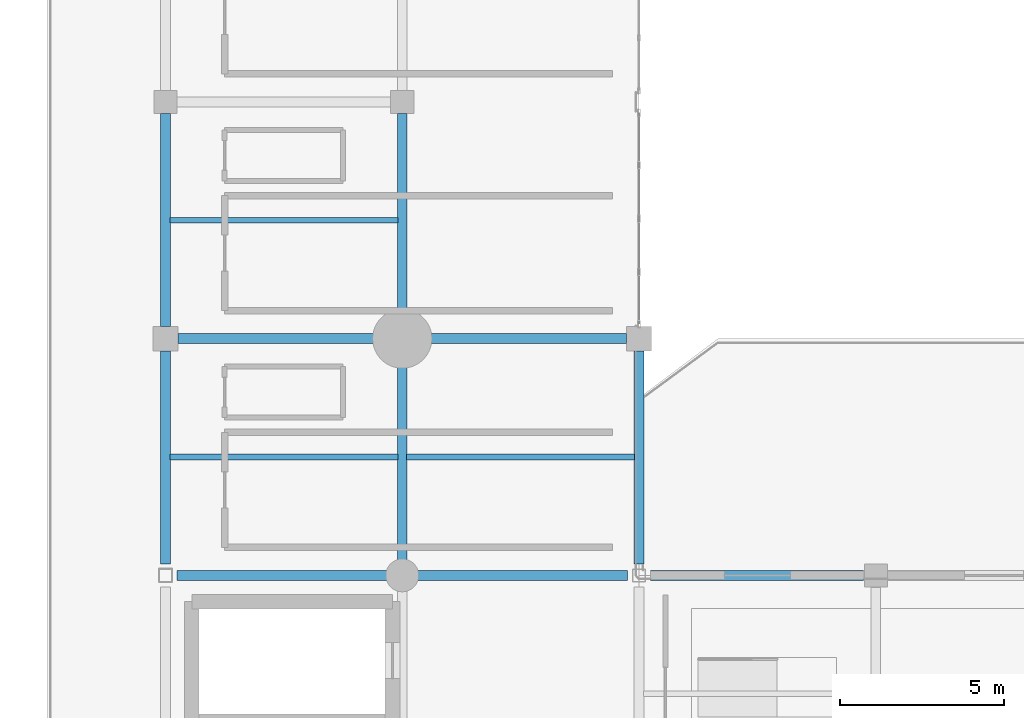
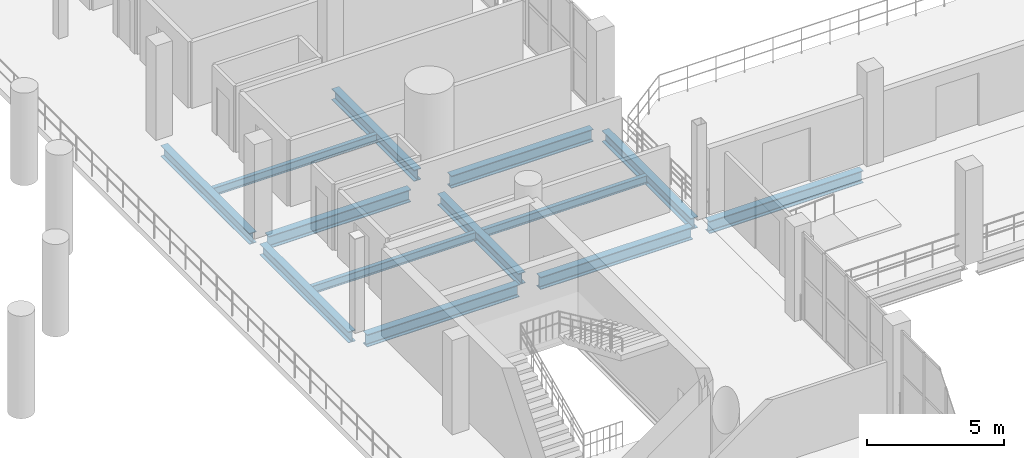
# One storey, part 46 of 130: 13 beams.
"""IFC4 building model written with IfcOpenShell, lengths in metres."""

from ifc_helpers import new_model, si_unit, direction, frame, origin, origin_2d, place, context, subcontext, project, spatial, i_section, extrude, material, material_profile, profile_set, type_object, element, save


model = new_model("IFC4")

# Units and contexts
model_context = context("Model", 3, precision=1e-05, world=origin(), true_north=direction((0.0, 1.0)))
body_context = subcontext(model_context, "Body", "Model", "MODEL_VIEW")
ifc_project = project(units=[si_unit("LENGTHUNIT", "METRE"), si_unit("AREAUNIT", "SQUARE_METRE"), si_unit("VOLUMEUNIT", "CUBIC_METRE"), si_unit("PLANEANGLEUNIT", "RADIAN"), si_unit("MASSUNIT", "GRAM", prefix="KILO")], contexts=[model_context])

# Site, building, storey
site_placement = place(None, origin())
site = spatial("IfcSite", under=ifc_project, at=site_placement, CompositionType="ELEMENT")
building_placement = place(site_placement, origin())
building = spatial("IfcBuilding", under=site, at=building_placement, Name="Qandorah Velis Arena", CompositionType="ELEMENT")
storey_placement = place(building_placement, frame((0.0, 0.0, 9.60009765625)))
storey = spatial("IfcBuildingStorey", under=building, at=storey_placement, Name="L02", CompositionType="ELEMENT", Elevation=9.60009765625)

# Beams
ifc_material = material(Name="Steel S355", Category="steel")
ifc_material_profile_1 = material_profile(ifc_material, i_section(OverallWidth=0.300048828125, OverallDepth=0.5, WebThickness=0.014404296875, FlangeThickness=0.028076171875, FilletRadius=0.027099609375, at=origin_2d()), Name="HEB 500")
ifc_profile_set_1 = profile_set([ifc_material_profile_1], Name="Steel S355")
beam_type_1 = type_object("IfcBeamType", Name="STR-BM-HEB500", PredefinedType="BEAM", material=ifc_profile_set_1)
beam_1_placement = place(storey_placement, frame((108.0, 50.75, -0.530029296875), z_axis=(0.0, 1.0, 0.0), x_axis=(-1.0, 0.0, 0.0)))
element("IfcBeam", 1, at=beam_1_placement, inside=storey, type_object=beam_type_1, Name="Primary floor girder L02 Y-294", PredefinedType="BEAM", context=body_context, shape_type="SweptSolid", body=[
    extrude(i_section(OverallWidth=0.300048828125, OverallDepth=0.5, WebThickness=0.014404296875, FlangeThickness=0.028076171875, FilletRadius=0.027099609375, at=origin_2d()), origin(), (0.0, 0.0, 1.0), 6.47509765625),
])
beam_2_placement = place(storey_placement, frame((108.0, 57.97509765625, -0.530029296875), z_axis=(0.0, 1.0, 0.0), x_axis=(-1.0, 0.0, 0.0)))
element("IfcBeam", 2, at=beam_2_placement, inside=storey, type_object=beam_type_1, Name="Primary floor girder L02 Y-295", PredefinedType="BEAM", context=body_context, shape_type="SweptSolid", body=[
    extrude(i_section(OverallWidth=0.300048828125, OverallDepth=0.5, WebThickness=0.014404296875, FlangeThickness=0.028076171875, FilletRadius=0.027099609375, at=origin_2d()), origin(), (0.0, 0.0, 1.0), 6.474853515625),
])
beam_3_placement = place(storey_placement, frame((115.199951171875, 50.85009765625, -0.530029296875), z_axis=(0.0, 1.0, 0.0), x_axis=(-1.0, 0.0, 0.0)))
element("IfcBeam", 3, at=beam_3_placement, inside=storey, type_object=beam_type_1, Name="Primary floor girder L02 Y-311", PredefinedType="BEAM", context=body_context, shape_type="SweptSolid", body=[
    extrude(i_section(OverallWidth=0.300048828125, OverallDepth=0.5, WebThickness=0.014404296875, FlangeThickness=0.028076171875, FilletRadius=0.027099609375, at=origin_2d()), origin(), (0.0, 0.0, 1.0), 5.89990234375),
])
beam_4_placement = place(storey_placement, frame((115.199951171875, 58.449951171875, -0.530029296875), z_axis=(0.0, 1.0, 0.0), x_axis=(-1.0, 0.0, 0.0)))
element("IfcBeam", 4, at=beam_4_placement, inside=storey, type_object=beam_type_1, Name="Primary floor girder L02 Y-312", PredefinedType="BEAM", context=body_context, shape_type="SweptSolid", body=[
    extrude(i_section(OverallWidth=0.300048828125, OverallDepth=0.5, WebThickness=0.014404296875, FlangeThickness=0.028076171875, FilletRadius=0.027099609375, at=origin_2d()), origin(), (0.0, 0.0, 1.0), 6.0),
])
beam_5_placement = place(storey_placement, frame((122.39990234375, 50.75, -0.530029296875), z_axis=(0.0, 1.0, 0.0), x_axis=(-1.0, 0.0, 0.0)))
element("IfcBeam", 5, at=beam_5_placement, inside=storey, type_object=beam_type_1, Name="Primary floor girder L02 Y-325", PredefinedType="BEAM", context=body_context, shape_type="SweptSolid", body=[
    extrude(i_section(OverallWidth=0.300048828125, OverallDepth=0.5, WebThickness=0.014404296875, FlangeThickness=0.028076171875, FilletRadius=0.027099609375, at=origin_2d()), origin(), (0.0, 0.0, 1.0), 6.47509765625),
])
ifc_material_profile_2 = material_profile(ifc_material, i_section(OverallWidth=0.300048828125, OverallDepth=0.550048828125, WebThickness=0.014892578125, FlangeThickness=0.029052734375, FilletRadius=0.027099609375, at=origin_2d()), Name="HEB 550")
ifc_profile_set_2 = profile_set([ifc_material_profile_2], Name="Steel S355")
beam_type_2 = type_object("IfcBeamType", Name="STR-BM-HEB550", PredefinedType="BEAM", material=ifc_profile_set_2)
beam_6_placement = place(storey_placement, frame((108.35009765625, 50.39990234375, -0.55517578125), z_axis=(1.0, 0.0, 0.0), x_axis=(0.0, 1.0, 0.0)))
element("IfcBeam", 6, at=beam_6_placement, inside=storey, type_object=beam_type_2, Name="Primary floor girder L02 X-078", PredefinedType="BEAM", context=body_context, shape_type="SweptSolid", body=[
    extrude(i_section(OverallWidth=0.300048828125, OverallDepth=0.550048828125, WebThickness=0.014892578125, FlangeThickness=0.029052734375, FilletRadius=0.027099609375, at=origin_2d()), origin(), (0.0, 0.0, 1.0), 6.39990234375),
])
beam_7_placement = place(storey_placement, frame((115.64990234375, 50.39990234375, -0.55517578125), z_axis=(1.0, 0.0, 0.0), x_axis=(0.0, 1.0, 0.0)))
element("IfcBeam", 7, at=beam_7_placement, inside=storey, type_object=beam_type_2, Name="Primary floor girder L02 X-079", PredefinedType="BEAM", context=body_context, shape_type="SweptSolid", body=[
    extrude(i_section(OverallWidth=0.300048828125, OverallDepth=0.550048828125, WebThickness=0.014892578125, FlangeThickness=0.029052734375, FilletRadius=0.027099609375, at=origin_2d()), origin(), (0.0, 0.0, 1.0), 6.400146484375),
])
beam_8_placement = place(storey_placement, frame((122.75, 50.39990234375, -0.55517578125), z_axis=(1.0, 0.0, 0.0), x_axis=(0.0, 1.0, 0.0)))
element("IfcBeam", 8, at=beam_8_placement, inside=storey, type_object=beam_type_2, Name="Primary floor girder L02 X-080", PredefinedType="BEAM", context=body_context, shape_type="SweptSolid", body=[
    extrude(i_section(OverallWidth=0.300048828125, OverallDepth=0.550048828125, WebThickness=0.014892578125, FlangeThickness=0.029052734375, FilletRadius=0.027099609375, at=origin_2d()), origin(), (0.0, 0.0, 1.0), 6.47509765625),
])
beam_9_placement = place(storey_placement, frame((108.375, 57.60009765625, -0.55517578125), z_axis=(1.0, 0.0, 0.0), x_axis=(0.0, 1.0, 0.0)))
element("IfcBeam", 9, at=beam_9_placement, inside=storey, type_object=beam_type_2, Name="Primary floor girder L02 X-086", PredefinedType="BEAM", context=body_context, shape_type="SweptSolid", body=[
    extrude(i_section(OverallWidth=0.300048828125, OverallDepth=0.550048828125, WebThickness=0.014892578125, FlangeThickness=0.029052734375, FilletRadius=0.027099609375, at=origin_2d()), origin(), (0.0, 0.0, 1.0), 5.97509765625),
])
beam_10_placement = place(storey_placement, frame((116.050048828125, 57.60009765625, -0.55517578125), z_axis=(1.0, 0.0, 0.0), x_axis=(0.0, 1.0, 0.0)))
element("IfcBeam", 10, at=beam_10_placement, inside=storey, type_object=beam_type_2, Name="Primary floor girder L02 X-087", PredefinedType="BEAM", context=body_context, shape_type="SweptSolid", body=[
    extrude(i_section(OverallWidth=0.300048828125, OverallDepth=0.550048828125, WebThickness=0.014892578125, FlangeThickness=0.029052734375, FilletRadius=0.027099609375, at=origin_2d()), origin(), (0.0, 0.0, 1.0), 5.974853515625),
])
ifc_material_profile_3 = material_profile(ifc_material, i_section(OverallWidth=0.169921875, OverallDepth=0.360107421875, WebThickness=0.008056640625, FlangeThickness=0.0126953125, FilletRadius=0.01806640625, at=origin_2d()), Name="IPE 360")
ifc_profile_set_3 = profile_set([ifc_material_profile_3], Name="Steel S355")
beam_type_3 = type_object("IfcBeamType", Name="STR-JST-IPE360", PredefinedType="JOIST", material=ifc_profile_set_3)
for number, where, z_axis, x_axis, name in (
    (11, (108.135009765625, 54.0, -0.460205078125), (1.0, 0.0, 0.0), (0.0, 1.0, 0.0), "Secondary floor joist L02-078"),
    (12, (108.135009765625, 61.199951171875, -0.460205078125), (1.0, 0.0, 0.0), (0.0, 1.0, 0.0), "Secondary floor joist L02-079"),
    (13, (115.3349609375, 54.0, -0.460205078125), (1.0, 0.0, 0.0), (0.0, 1.0, 0.0), "Secondary floor joist L02-090"),
):
    element("IfcBeam", number, at=place(storey_placement, frame(where, z_axis=z_axis, x_axis=x_axis)), inside=storey, type_object=beam_type_3, Name=name, PredefinedType="JOIST", context=body_context, shape_type="SweptSolid", body=[
        extrude(i_section(OverallWidth=0.169921875, OverallDepth=0.360107421875, WebThickness=0.008056640625, FlangeThickness=0.0126953125, FilletRadius=0.01806640625, at=origin_2d()), origin(), (0.0, 0.0, 1.0), 6.929931640625),
    ])

save(model, "model.ifc")
